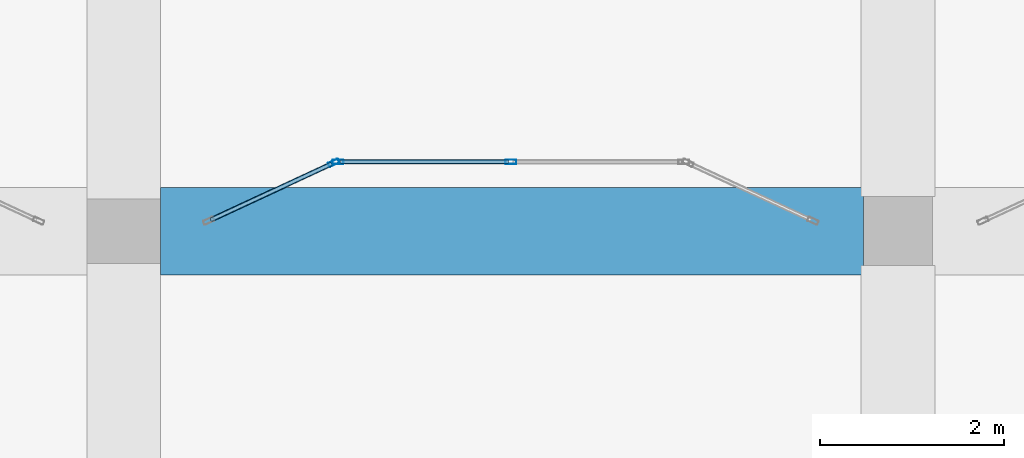
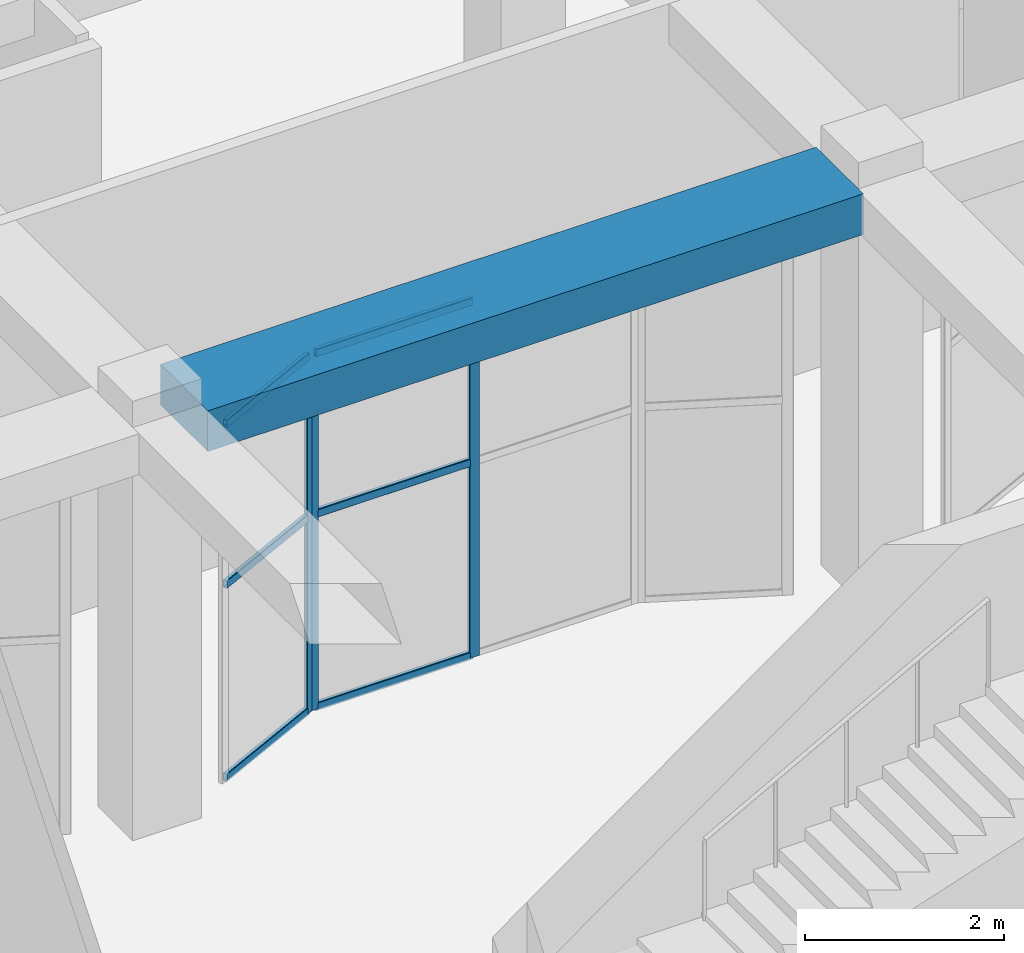
# One storey, part 12 of 84: 9 members, 1 beam, 2 elements without a shape of their own.
"""IFC4 building model written with IfcOpenShell, lengths in metres."""

from ifc_helpers import new_model, si_unit, derived_unit, direction, frame, origin, origin_2d, place, context, subcontext, project, spatial, rectangle, hollow_rectangle, extrude, material, material_profile, profile_set, type_object, element, aggregate, save


model = new_model("IFC4")

# Units and contexts
model_context = context("Model", 3, precision=1e-05, world=origin(), true_north=direction((0.0, 1.0)))
body_context = subcontext(model_context, "Body", "Model", "MODEL_VIEW")
ifc_project = project(units=[si_unit("LENGTHUNIT", "METRE"), si_unit("AREAUNIT", "SQUARE_METRE"), si_unit("VOLUMEUNIT", "CUBIC_METRE"), si_unit("PLANEANGLEUNIT", "RADIAN"), si_unit("MASSUNIT", "GRAM", prefix="KILO"), derived_unit("THERMALTRANSMITTANCEUNIT", [(si_unit("POWERUNIT", "WATT"), 1), (si_unit("LENGTHUNIT", "METRE"), -2), (si_unit("THERMODYNAMICTEMPERATUREUNIT", "KELVIN"), -1)])], contexts=[model_context])

# Site, building, storey
site_placement = place(None, origin())
site = spatial("IfcSite", under=ifc_project, at=site_placement, CompositionType="ELEMENT")
building_placement = place(site_placement, origin())
building = spatial("IfcBuilding", under=site, at=building_placement, Name="Veybourne Emporium", CompositionType="ELEMENT")
storey_placement = place(building_placement, origin())
storey = spatial("IfcBuildingStorey", under=building, at=storey_placement, Name="L00", CompositionType="ELEMENT", Elevation=0.0)

# Curtain wall, member
ifc_material_1 = material(Name="Patinated Architectural Bronze", Category="bronze")
curtain_wall_type_1 = type_object("IfcCurtainWallType", Name="CWSystem_CWI-04", PredefinedType="NOTDEFINED", material=ifc_material_1)
curtain_wall_1_placement = place(storey_placement, origin())
curtain_wall_1 = element("IfcCurtainWall", 1, at=curtain_wall_1_placement, inside=storey, type_object=curtain_wall_type_1, Name="Arcade bow-front boutique shopfront L00 bay 9 facet 1", PredefinedType="NOTDEFINED")
ifc_material_profile_1 = material_profile(ifc_material_1, hollow_rectangle(XDim=0.050048828125, YDim=0.1201171875, WallThickness=0.00390625, InnerFilletRadius=0.006103515625, OuterFilletRadius=0.010009765625, at=origin_2d()), Name="CWM 50x120x4")
ifc_profile_set_1 = profile_set([ifc_material_profile_1], Name="Patinated Architectural Bronze")
member_type_1 = type_object("IfcMemberType", Name="CWMullion_CW-M5", PredefinedType="MULLION", material=ifc_profile_set_1)
member_1_placement = place(storey_placement, frame((77.87744140625, 22.33935546875, 0.0), z_axis=(0.0, 0.0, 1.0), x_axis=(-0.421111306453, 0.907008967749, 0.0)))
member_1 = element("IfcMember", 2, at=member_1_placement, type_object=member_type_1, Name="CWI-04 mullion 2", PredefinedType="MULLION", context=body_context, shape_type="SweptSolid", body=[
    extrude(hollow_rectangle(XDim=0.050048828125, YDim=0.1201171875, WallThickness=0.00390625, InnerFilletRadius=0.006103515625, OuterFilletRadius=0.010009765625, at=origin_2d()), origin(), (0.0, 0.0, 1.0), 4.39990234375),
])

# Curtain wall, members
curtain_wall_type_2 = type_object("IfcCurtainWallType", Name="CWSystem_CWI-05", PredefinedType="NOTDEFINED", material=ifc_material_1)
curtain_wall_2_placement = place(storey_placement, origin())
curtain_wall_2 = element("IfcCurtainWall", 3, at=curtain_wall_2_placement, inside=storey, type_object=curtain_wall_type_2, Name="Arcade bow-front boutique shopfront L00 bay 9 facet 2", PredefinedType="NOTDEFINED")
member_2_placement = place(storey_placement, frame((77.925048828125, 22.35009765625, 0.0), z_axis=(0.0, 0.0, 1.0), x_axis=(0.0, 1.0, 0.0)))
member_2 = element("IfcMember", 4, at=member_2_placement, type_object=member_type_1, Name="CWI-05 mullion 1", PredefinedType="MULLION", context=body_context, shape_type="SweptSolid", body=[
    extrude(hollow_rectangle(XDim=0.050048828125, YDim=0.1201171875, WallThickness=0.00390625, InnerFilletRadius=0.006103515625, OuterFilletRadius=0.010009765625, at=origin_2d()), origin(), (0.0, 0.0, 1.0), 4.39990234375),
])
member_3_placement = place(storey_placement, frame((79.800048828125, 22.35009765625, 0.0), z_axis=(0.0, 0.0, 1.0), x_axis=(0.0, 1.0, 0.0)))
member_3 = element("IfcMember", 5, at=member_3_placement, type_object=member_type_1, Name="CWI-05 mullion 2", PredefinedType="MULLION", context=body_context, shape_type="SweptSolid", body=[
    extrude(hollow_rectangle(XDim=0.050048828125, YDim=0.1201171875, WallThickness=0.00390625, InnerFilletRadius=0.006103515625, OuterFilletRadius=0.010009765625, at=origin_2d()), origin(), (0.0, 0.0, 1.0), 4.39990234375),
])

# Member
ifc_material_profile_2 = material_profile(ifc_material_1, hollow_rectangle(XDim=0.050048828125, YDim=0.10009765625, WallThickness=0.00390625, InnerFilletRadius=0.006103515625, OuterFilletRadius=0.010009765625, at=origin_2d()), Name="CWT 50x100x4")
ifc_profile_set_2 = profile_set([ifc_material_profile_2], Name="Patinated Architectural Bronze")
member_type_2 = type_object("IfcMemberType", Name="CWTransom_CW-T5", PredefinedType="NOTDEFINED", material=ifc_profile_set_2)
member_4_placement = place(storey_placement, frame((76.54541015625, 21.720947265625, 0.02490234375), z_axis=(0.907006660705, 0.421116275435, 0.0), x_axis=(-0.421116275435, 0.907006660705, 0.0)))
member_4 = element("IfcMember", 6, at=member_4_placement, type_object=member_type_2, Name="CWI-04 transom 1.1", ObjectType="TRANSOM", PredefinedType="USERDEFINED", context=body_context, shape_type="SweptSolid", body=[
    extrude(hollow_rectangle(XDim=0.050048828125, YDim=0.10009765625, WallThickness=0.00390625, InnerFilletRadius=0.006103515625, OuterFilletRadius=0.010009765625, at=origin_2d()), origin(), (0.0, 0.0, 1.0), 1.443603515625),
])

member_5_placement = place(storey_placement, frame((76.54541015625, 21.720947265625, 2.39990234375), z_axis=(0.907006660705, 0.421116275435, 0.0), x_axis=(-0.421116275435, 0.907006660705, 0.0)))
member_5 = element("IfcMember", 7, at=member_5_placement, type_object=member_type_2, Name="CWI-04 transom 1.2", ObjectType="TRANSOM", PredefinedType="USERDEFINED", context=body_context, shape_type="SweptSolid", body=[
    extrude(hollow_rectangle(XDim=0.050048828125, YDim=0.10009765625, WallThickness=0.00390625, InnerFilletRadius=0.006103515625, OuterFilletRadius=0.010009765625, at=origin_2d()), origin(), (0.0, 0.0, 1.0), 1.443603515625),
])

member_6_placement = place(storey_placement, frame((76.54541015625, 21.720947265625, 4.375), z_axis=(0.907006660705, 0.421116275435, 0.0), x_axis=(-0.421116275435, 0.907006660705, 0.0)))
member_6 = element("IfcMember", 8, at=member_6_placement, type_object=member_type_2, Name="CWI-04 transom 1.3", ObjectType="TRANSOM", PredefinedType="USERDEFINED", context=body_context, shape_type="SweptSolid", body=[
    extrude(hollow_rectangle(XDim=0.050048828125, YDim=0.10009765625, WallThickness=0.00390625, InnerFilletRadius=0.006103515625, OuterFilletRadius=0.010009765625, at=origin_2d()), origin(), (0.0, 0.0, 1.0), 1.443603515625),
])

aggregate(curtain_wall_1, [member_1, member_4, member_5, member_6])

member_7_placement = place(storey_placement, frame((77.949951171875, 22.35009765625, 0.02490234375), z_axis=(1.0, 0.0, 0.0), x_axis=(0.0, 1.0, 0.0)))
member_7 = element("IfcMember", 9, at=member_7_placement, type_object=member_type_2, Name="CWI-05 transom 1.1", ObjectType="TRANSOM", PredefinedType="USERDEFINED", context=body_context, shape_type="SweptSolid", body=[
    extrude(hollow_rectangle(XDim=0.050048828125, YDim=0.10009765625, WallThickness=0.00390625, InnerFilletRadius=0.006103515625, OuterFilletRadius=0.010009765625, at=origin_2d()), origin(), (0.0, 0.0, 1.0), 1.824951171875),
])

member_8_placement = place(storey_placement, frame((77.949951171875, 22.35009765625, 2.39990234375), z_axis=(1.0, 0.0, 0.0), x_axis=(0.0, 1.0, 0.0)))
member_8 = element("IfcMember", 10, at=member_8_placement, type_object=member_type_2, Name="CWI-05 transom 1.2", ObjectType="TRANSOM", PredefinedType="USERDEFINED", context=body_context, shape_type="SweptSolid", body=[
    extrude(hollow_rectangle(XDim=0.050048828125, YDim=0.10009765625, WallThickness=0.00390625, InnerFilletRadius=0.006103515625, OuterFilletRadius=0.010009765625, at=origin_2d()), origin(), (0.0, 0.0, 1.0), 1.824951171875),
])

member_9_placement = place(storey_placement, frame((77.949951171875, 22.35009765625, 4.375), z_axis=(1.0, 0.0, 0.0), x_axis=(0.0, 1.0, 0.0)))
member_9 = element("IfcMember", 11, at=member_9_placement, type_object=member_type_2, Name="CWI-05 transom 1.3", ObjectType="TRANSOM", PredefinedType="USERDEFINED", context=body_context, shape_type="SweptSolid", body=[
    extrude(hollow_rectangle(XDim=0.050048828125, YDim=0.10009765625, WallThickness=0.00390625, InnerFilletRadius=0.006103515625, OuterFilletRadius=0.010009765625, at=origin_2d()), origin(), (0.0, 0.0, 1.0), 1.824951171875),
])

aggregate(curtain_wall_2, [member_2, member_3, member_7, member_8, member_9])

# Beam
ifc_material_2 = material(Name="Concrete C32/40", Category="concrete")
ifc_material_profile_3 = material_profile(ifc_material_2, rectangle(XDim=0.949951171875, YDim=0.5, at=origin_2d()), Name="RC 950x500")
ifc_profile_set_3 = profile_set([ifc_material_profile_3], Name="Concrete C32/40")
beam_type = type_object("IfcBeamType", Name="RCBeam_BB-01", PredefinedType="BEAM", material=ifc_profile_set_3)
beam_placement = place(storey_placement, frame((76.0, 21.60009765625, 4.830078125), z_axis=(1.0, 0.0, 0.0), x_axis=(0.0, 1.0, 0.0)))
element("IfcBeam", 12, at=beam_placement, inside=storey, type_object=beam_type, Name="L00 X-grid beam BB-01 (9,3)", PredefinedType="BEAM", context=body_context, shape_type="SweptSolid", body=[
    extrude(rectangle(XDim=0.949951171875, YDim=0.5, at=origin_2d()), origin(), (0.0, 0.0, 1.0), 7.625),
])

save(model, "model.ifc")
